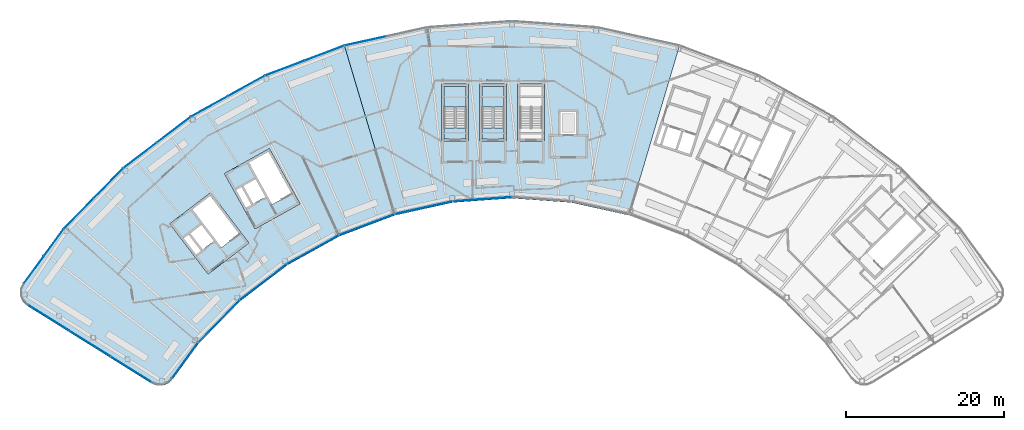
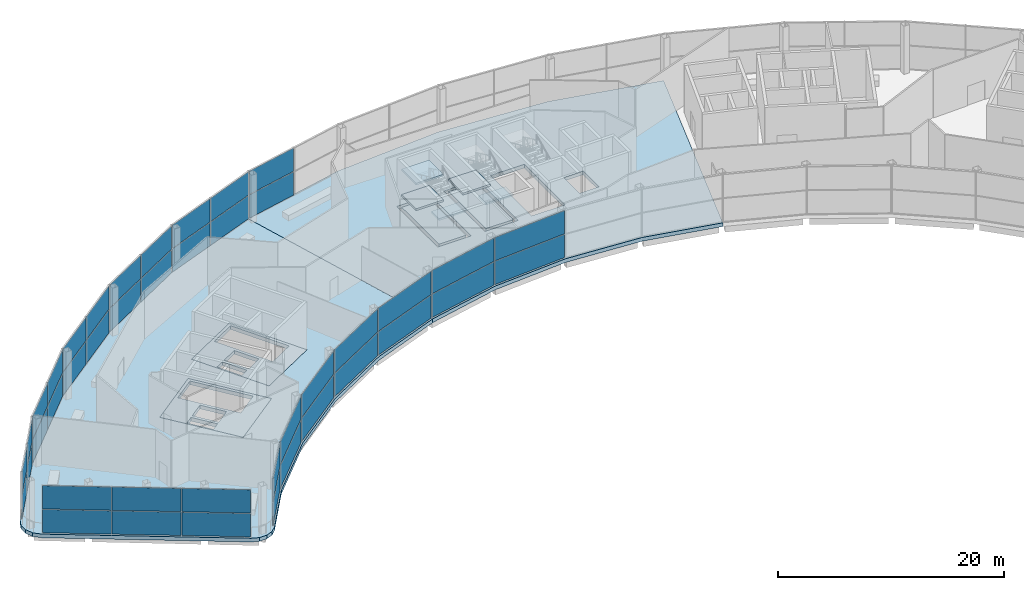
# One storey, part 34 of 44: 42 plates, 11 slabs, 16 elements without a shape of their own.
"""IFC4 building model written with IfcOpenShell, lengths in metres."""

import ifcopenshell
import ifcopenshell.guid

model = None  # the IFC model being written
_history = None  # IfcOwnerHistory: only IFC2X3 demands one
_inside = {}  # id of a spatial element -> (the spatial element, [elements in it])
_under = {}  # id of a project, library or spatial element -> (it, [spatial elements below it])
_declared = {}  # id of a project -> (the project, [libraries it declares])
_typed = {}  # id of a type object -> (the type object, [elements of that type])
_made_of = {}  # id of a material, layer set ... -> (it, [elements and type objects made of it])


def new_model(schema):
    """Start an empty IFC model of exactly this schema.

    Asked for "IFC4X3", IfcOpenShell would pick the latest addendum, in which some entities
    have other attributes; the version numbers below select the first issue.
    IFC2X3 requires an IfcOwnerHistory on every rooted entity: one is made here for all.
    """
    global model, _history
    if schema == "IFC4X3":
        model = ifcopenshell.file(schema_version=(4, 3, 0, 0))
    else:
        model = ifcopenshell.file(schema=schema)
    _inside.clear()
    _under.clear()
    _declared.clear()
    _typed.clear()
    _made_of.clear()
    _history = None
    if model.schema == "IFC2X3":
        org = make("IfcOrganization", Name="unknown")
        user = make(
            "IfcPersonAndOrganization",
            ThePerson=make("IfcPerson", FamilyName="unknown"),
            TheOrganization=org,
        )
        app = make(
            "IfcApplication",
            ApplicationDeveloper=org,
            Version="unknown",
            ApplicationFullName="unknown",
            ApplicationIdentifier="unknown",
        )
        _history = make(
            "IfcOwnerHistory",
            OwningUser=user,
            OwningApplication=app,
            ChangeAction="ADDED",
            CreationDate=0,
        )
    return model


def make(cls, **values):
    """One entity of the class cls with the attributes given. An attribute that is None is left unset."""
    return model.create_entity(
        cls, **{name: value for name, value in values.items() if value is not None}
    )


def rooted(cls, **values):
    """An entity with a GlobalId (a new one), such as an element, a storey or a relation."""
    return make(cls, GlobalId=ifcopenshell.guid.new(), OwnerHistory=_history, **values)


def si_unit(unit_type, name, prefix=None):
    """IfcSIUnit, for example si_unit("LENGTHUNIT", "METRE", prefix="MILLI")."""
    return make("IfcSIUnit", UnitType=unit_type, Prefix=prefix, Name=name)


def assignment(units):
    """IfcUnitAssignment: the units of a project."""
    return None if units is None else make("IfcUnitAssignment", Units=units)


def point(xyz):
    """IfcCartesianPoint."""
    return None if xyz is None else make("IfcCartesianPoint", Coordinates=xyz)


def direction(xyz):
    """IfcDirection."""
    return None if xyz is None else make("IfcDirection", DirectionRatios=xyz)


def frame(location, z_axis=None, x_axis=None):
    """IfcAxis2Placement3D, a coordinate frame: its origin and axes. An axis left out is left unset."""
    return make(
        "IfcAxis2Placement3D",
        Location=point(location),
        Axis=direction(z_axis),
        RefDirection=direction(x_axis),
    )


def frame_2d(location, x_axis=None):
    """IfcAxis2Placement2D, a coordinate frame in the plane: its origin and x axis."""
    return make(
        "IfcAxis2Placement2D", Location=point(location), RefDirection=direction(x_axis)
    )


def origin():
    """The frame at (0, 0, 0) with its axes left unset."""
    return frame((0.0, 0.0, 0.0))


def origin_2d():
    """The frame at (0, 0) in the plane with its x axis left unset."""
    return frame_2d((0.0, 0.0))


def place(relative_to, where):
    """IfcLocalPlacement: puts the frame where relative to a parent placement (None: the world)."""
    return make(
        "IfcLocalPlacement", PlacementRelTo=relative_to, RelativePlacement=where
    )


def context(
    kind, dimensions, precision=None, world=None, true_north=None, identifier=None
):
    """IfcGeometricRepresentationContext, for example the 3D "Model" context."""
    return make(
        "IfcGeometricRepresentationContext",
        ContextIdentifier=identifier,
        ContextType=kind,
        CoordinateSpaceDimension=dimensions,
        Precision=precision,
        WorldCoordinateSystem=world,
        TrueNorth=true_north,
    )


def subcontext(parent, identifier, kind, view, scale=None):
    """IfcGeometricRepresentationSubContext, for example "Body" below "Model"."""
    return make(
        "IfcGeometricRepresentationSubContext",
        ContextIdentifier=identifier,
        ContextType=kind,
        ParentContext=parent,
        TargetScale=scale,
        TargetView=view,
    )


def project(units=None, contexts=None):
    """IfcProject with its units and contexts."""
    return rooted(
        "IfcProject",
        Name="project",
        RepresentationContexts=contexts,
        UnitsInContext=assignment(units),
    )


def spatial(cls, under=None, at=None, **own):
    """A site, building, storey or space (cls), placed at a placement, below another one or the project."""
    s = rooted(cls, ObjectPlacement=at, **own)
    if under is not None:
        _under.setdefault(under.id(), (under, []))[1].append(s)
    return s


def polyline(points):
    """IfcPolyline through the points."""
    return make("IfcPolyline", Points=[point(p) for p in points])


def profile(cls, at=None, kind="AREA", **sizes):
    """A parametric profile (cls). Its sizes go by their IFC names, for example OverallWidth=200.0."""
    return make(cls, ProfileType=kind, Position=at, **sizes)


def rectangle(**sizes):
    """IfcRectangleProfileDef."""
    return profile("IfcRectangleProfileDef", **sizes)


def outline(outer, holes=None, kind="AREA"):
    """IfcArbitraryClosedProfileDef: a profile drawn as a closed curve; with holes, ...WithVoids."""
    if holes is None:
        return make("IfcArbitraryClosedProfileDef", ProfileType=kind, OuterCurve=outer)
    return make(
        "IfcArbitraryProfileDefWithVoids",
        ProfileType=kind,
        OuterCurve=outer,
        InnerCurves=holes,
    )


def extrude(swept, where, along, depth):
    """IfcExtrudedAreaSolid: the profile swept, set in the frame where, extruded along a direction by depth."""
    return make(
        "IfcExtrudedAreaSolid",
        SweptArea=swept,
        Position=where,
        ExtrudedDirection=direction(along),
        Depth=depth,
    )


def shape(context_of_items, identifier, shape_type, items):
    """IfcShapeRepresentation: the items that make up one representation, for example the "Body"."""
    return make(
        "IfcShapeRepresentation",
        ContextOfItems=context_of_items,
        RepresentationIdentifier=identifier,
        RepresentationType=shape_type,
        Items=items,
    )


def material(Name=None, Category=None):
    """IfcMaterial."""
    return make("IfcMaterial", Name=Name, Category=Category)


def layer(
    of_material, thickness, ventilated=None, Name=None, Category=None, Priority=None
):
    """IfcMaterialLayer: one layer of a wall or slab, of a material (None: an air gap)."""
    return make(
        "IfcMaterialLayer",
        Material=of_material,
        LayerThickness=thickness,
        IsVentilated=ventilated,
        Name=Name,
        Category=Category,
        Priority=Priority,
    )


def layer_set(layers, Name=None):
    """IfcMaterialLayerSet."""
    return make("IfcMaterialLayerSet", MaterialLayers=layers, LayerSetName=Name)


def made_of(thing, what):
    """Note that an element or type object is made of a material, layer set ...; save() writes the relation."""
    if what is not None:
        _made_of.setdefault(what.id(), (what, []))[1].append(thing)
    return thing


def type_object(cls, material=None, **own):
    """A type object (cls), such as IfcWallType, which elements share."""
    return made_of(rooted(cls, **own), material)


def element(
    cls,
    number,
    at=None,
    inside=None,
    cuts=None,
    type_object=None,
    material=None,
    context=None,
    identifier="Body",
    shape_type=None,
    held_by="IfcProductDefinitionShape",
    body=None,
    shapes=None,
    **own,
):
    """One element of the class cls, such as IfcWall. Its Tag is "e" and its number.

    at: its placement. inside: the storey or other place that contains it. cuts: it is an
    opening in that element (IfcRelVoidsElement). A single representation is given by context,
    identifier, shape_type and body (its items); several are given by shapes. held_by: the class
    of the entity that holds the representations. save() writes the other relations.
    """
    e = rooted(cls, Tag="e%d" % number, ObjectPlacement=at, **own)
    if body is not None:
        shapes = [shape(context, identifier, shape_type, body)]
    if shapes is not None:
        e.Representation = make(held_by, Representations=shapes)
    if inside is not None:
        _inside.setdefault(inside.id(), (inside, []))[1].append(e)
    if cuts is not None:
        rooted(
            "IfcRelVoidsElement", RelatingBuildingElement=cuts, RelatedOpeningElement=e
        )
    if type_object is not None:
        _typed.setdefault(type_object.id(), (type_object, []))[1].append(e)
    return made_of(e, material)


def aggregate(whole, parts):
    """IfcRelAggregates: a whole, such as a stair, and the parts it consists of."""
    return rooted("IfcRelAggregates", RelatingObject=whole, RelatedObjects=parts)


def save(model, path):
    """Write the relations noted so far, then the file.

    IfcRelAggregates (storeys below a building ...), IfcRelContainedInSpatialStructure (elements
    in a storey), IfcRelDefinesByType, IfcRelAssociatesMaterial and IfcRelDeclares: one each for
    every whole, place, type object, material and project.
    """
    for whole, parts in _under.values():
        aggregate(whole, parts)
    for where, things in _inside.values():
        rooted(
            "IfcRelContainedInSpatialStructure",
            RelatedElements=things,
            RelatingStructure=where,
        )
    for kind, things in _typed.values():
        rooted("IfcRelDefinesByType", RelatedObjects=things, RelatingType=kind)
    for what, things in _made_of.values():
        rooted("IfcRelAssociatesMaterial", RelatedObjects=things, RelatingMaterial=what)
    for by, libraries in _declared.values():
        rooted("IfcRelDeclares", RelatingContext=by, RelatedDefinitions=libraries)
    model.write(path)


model = new_model("IFC4")

# Units and contexts
model_context = context("Model", 3, precision=1e-05, world=origin(), true_north=direction((0.0, 1.0)))
body_context = subcontext(model_context, "Body", "Model", "MODEL_VIEW")
ifc_project = project(units=[si_unit("LENGTHUNIT", "METRE"), si_unit("AREAUNIT", "SQUARE_METRE"), si_unit("VOLUMEUNIT", "CUBIC_METRE"), si_unit("PLANEANGLEUNIT", "RADIAN"), si_unit("MASSUNIT", "GRAM", prefix="KILO")], contexts=[model_context])

# Site, building, storey
site_placement = place(None, origin())
site = spatial("IfcSite", under=ifc_project, at=site_placement, CompositionType="ELEMENT")
building_placement = place(site_placement, origin())
building = spatial("IfcBuilding", under=site, at=building_placement, Name="Tuul Gate Civic Tower", CompositionType="ELEMENT")
storey_placement = place(building_placement, frame((0.0, 0.0, 354.60009765625)))
storey = spatial("IfcBuildingStorey", under=building, at=storey_placement, Name="Observation level 2", CompositionType="ELEMENT", Elevation=354.60009765625)

# Curtain wall, plates
ifc_material_1 = material(Name="Stainless steel", Category="steel")
ifc_layer_1 = layer(ifc_material_1, 0.199951171875)
ifc_layer_set_1 = layer_set([ifc_layer_1], Name="Stainless steel")
curtain_wall_type = type_object("IfcCurtainWallType", Name="Curtain wall CW4", PredefinedType="NOTDEFINED", material=ifc_layer_set_1)
curtain_wall_1_placement = place(storey_placement, origin())
curtain_wall_1 = element("IfcCurtainWall", 1, at=curtain_wall_1_placement, inside=storey, type_object=curtain_wall_type, Name="Curtain wall CW4", PredefinedType="NOTDEFINED")
ifc_material_2 = material(Name="Laminated glass", Category="glass")
ifc_layer_2 = layer(ifc_material_2, 0.0400390625)
ifc_layer_set_2 = layer_set([ifc_layer_2], Name="Laminated glass")
plate_type = type_object("IfcPlateType", Name="CW4 panel", PredefinedType="CURTAIN_PANEL", material=ifc_layer_set_2)
plate_1_placement = place(storey_placement, frame((-16.37548828125, 11.772216796875, 0.06005859375), z_axis=(0.0, 0.0, 1.0), x_axis=(-0.976566659334, -0.215215147882, 0.0)))
plate_1 = element("IfcPlate", 2, at=plate_1_placement, type_object=plate_type, Name="Panel", PredefinedType="CURTAIN_PANEL", context=body_context, shape_type="SweptSolid", body=[
    extrude(rectangle(XDim=5.28125, YDim=0.0400390625, at=origin_2d()), origin(), (0.0, 0.0, 1.0), 2.510009765625),
])
plate_2_placement = place(storey_placement, frame((-16.37548828125, 11.772216796875, 2.6298828125), z_axis=(0.0, 0.0, 1.0), x_axis=(-0.976566659334, -0.215215147882, 0.0)))
plate_2 = element("IfcPlate", 3, at=plate_2_placement, type_object=plate_type, Name="Panel", PredefinedType="CURTAIN_PANEL", context=body_context, shape_type="SweptSolid", body=[
    extrude(rectangle(XDim=5.28125, YDim=0.0400390625, at=origin_2d()), origin(), (0.0, 0.0, 1.0), 2.510009765625),
])
aggregate(curtain_wall_1, [plate_1, plate_2])

curtain_wall_2_placement = place(storey_placement, origin())
curtain_wall_2 = element("IfcCurtainWall", 4, at=curtain_wall_2_placement, inside=storey, type_object=curtain_wall_type, Name="Curtain wall CW4", PredefinedType="NOTDEFINED")
plate_3_placement = place(storey_placement, frame((-21.5390625, 10.235595703125, 0.06005859375), z_axis=(0.0, 0.0, 1.0), x_axis=(-0.935346200905, -0.35373363489, 0.0)))
plate_3 = element("IfcPlate", 5, at=plate_3_placement, type_object=plate_type, Name="Panel", PredefinedType="CURTAIN_PANEL", context=body_context, shape_type="SweptSolid", body=[
    extrude(rectangle(XDim=5.28125, YDim=0.0400390625, at=origin_2d()), origin(), (0.0, 0.0, 1.0), 2.510009765625),
])
plate_4_placement = place(storey_placement, frame((-21.5390625, 10.235595703125, 2.6298828125), z_axis=(0.0, 0.0, 1.0), x_axis=(-0.935346200905, -0.35373363489, 0.0)))
plate_4 = element("IfcPlate", 6, at=plate_4_placement, type_object=plate_type, Name="Panel", PredefinedType="CURTAIN_PANEL", context=body_context, shape_type="SweptSolid", body=[
    extrude(rectangle(XDim=5.28125, YDim=0.0400390625, at=origin_2d()), origin(), (0.0, 0.0, 1.0), 2.510009765625),
])
plate_5_placement = place(storey_placement, frame((-26.534912109375, 8.34619140625, 0.06005859375), z_axis=(0.0, 0.0, 1.0), x_axis=(-0.935346200905, -0.35373363489, 0.0)))
plate_5 = element("IfcPlate", 7, at=plate_5_placement, type_object=plate_type, Name="Panel", PredefinedType="CURTAIN_PANEL", context=body_context, shape_type="SweptSolid", body=[
    extrude(rectangle(XDim=5.28125, YDim=0.0400390625, at=origin_2d()), origin(), (0.0, 0.0, 1.0), 2.510009765625),
])
plate_6_placement = place(storey_placement, frame((-26.534912109375, 8.34619140625, 2.6298828125), z_axis=(0.0, 0.0, 1.0), x_axis=(-0.935346200905, -0.35373363489, 0.0)))
plate_6 = element("IfcPlate", 8, at=plate_6_placement, type_object=plate_type, Name="Panel", PredefinedType="CURTAIN_PANEL", context=body_context, shape_type="SweptSolid", body=[
    extrude(rectangle(XDim=5.28125, YDim=0.0400390625, at=origin_2d()), origin(), (0.0, 0.0, 1.0), 2.510009765625),
])
aggregate(curtain_wall_2, [plate_3, plate_4, plate_5, plate_6])

curtain_wall_3_placement = place(storey_placement, origin())
curtain_wall_3 = element("IfcCurtainWall", 9, at=curtain_wall_3_placement, inside=storey, type_object=curtain_wall_type, Name="Curtain wall CW4", PredefinedType="NOTDEFINED")
plate_7_placement = place(storey_placement, frame((-31.423095703125, 6.081787109375, 0.06005859375), z_axis=(0.0, 0.0, 1.0), x_axis=(-0.874631068374, -0.48478912347, 0.0)))
plate_7 = element("IfcPlate", 10, at=plate_7_placement, type_object=plate_type, Name="Panel", PredefinedType="CURTAIN_PANEL", context=body_context, shape_type="SweptSolid", body=[
    extrude(rectangle(XDim=5.281494140625, YDim=0.0400390625, at=origin_2d()), origin(), (0.0, 0.0, 1.0), 2.510009765625),
])
plate_8_placement = place(storey_placement, frame((-31.423095703125, 6.081787109375, 2.6298828125), z_axis=(0.0, 0.0, 1.0), x_axis=(-0.874631068374, -0.48478912347, 0.0)))
plate_8 = element("IfcPlate", 11, at=plate_8_placement, type_object=plate_type, Name="Panel", PredefinedType="CURTAIN_PANEL", context=body_context, shape_type="SweptSolid", body=[
    extrude(rectangle(XDim=5.281494140625, YDim=0.0400390625, at=origin_2d()), origin(), (0.0, 0.0, 1.0), 2.510009765625),
])
plate_9_placement = place(storey_placement, frame((-36.094970703125, 3.4921875, 0.06005859375), z_axis=(0.0, 0.0, 1.0), x_axis=(-0.874631068374, -0.48478912347, 0.0)))
plate_9 = element("IfcPlate", 12, at=plate_9_placement, type_object=plate_type, Name="Panel", PredefinedType="CURTAIN_PANEL", context=body_context, shape_type="SweptSolid", body=[
    extrude(rectangle(XDim=5.281494140625, YDim=0.0400390625, at=origin_2d()), origin(), (0.0, 0.0, 1.0), 2.510009765625),
])
plate_10_placement = place(storey_placement, frame((-36.094970703125, 3.4921875, 2.6298828125), z_axis=(0.0, 0.0, 1.0), x_axis=(-0.874631068374, -0.48478912347, 0.0)))
plate_10 = element("IfcPlate", 13, at=plate_10_placement, type_object=plate_type, Name="Panel", PredefinedType="CURTAIN_PANEL", context=body_context, shape_type="SweptSolid", body=[
    extrude(rectangle(XDim=5.281494140625, YDim=0.0400390625, at=origin_2d()), origin(), (0.0, 0.0, 1.0), 2.510009765625),
])
aggregate(curtain_wall_3, [plate_7, plate_8, plate_9, plate_10])

curtain_wall_4_placement = place(storey_placement, origin())
curtain_wall_4 = element("IfcCurtainWall", 14, at=curtain_wall_4_placement, inside=storey, type_object=curtain_wall_type, Name="Curtain wall CW4", PredefinedType="NOTDEFINED")
plate_11_placement = place(storey_placement, frame((-40.605712890625, 0.546875, 0.06005859375), z_axis=(0.0, 0.0, 1.0), x_axis=(-0.795611180684, -0.605807600786, 0.0)))
plate_11 = element("IfcPlate", 15, at=plate_11_placement, type_object=plate_type, Name="Panel", PredefinedType="CURTAIN_PANEL", context=body_context, shape_type="SweptSolid", body=[
    extrude(rectangle(XDim=5.28125, YDim=0.0400390625, at=origin_2d()), origin(), (0.0, 0.0, 1.0), 2.510009765625),
])
plate_12_placement = place(storey_placement, frame((-40.605712890625, 0.546875, 2.6298828125), z_axis=(0.0, 0.0, 1.0), x_axis=(-0.795611180684, -0.605807600786, 0.0)))
plate_12 = element("IfcPlate", 16, at=plate_12_placement, type_object=plate_type, Name="Panel", PredefinedType="CURTAIN_PANEL", context=body_context, shape_type="SweptSolid", body=[
    extrude(rectangle(XDim=5.28125, YDim=0.0400390625, at=origin_2d()), origin(), (0.0, 0.0, 1.0), 2.510009765625),
])
plate_13_placement = place(storey_placement, frame((-44.855224609375, -2.68896484375, 0.06005859375), z_axis=(0.0, 0.0, 1.0), x_axis=(-0.795611180684, -0.605807600786, 0.0)))
plate_13 = element("IfcPlate", 17, at=plate_13_placement, type_object=plate_type, Name="Panel", PredefinedType="CURTAIN_PANEL", context=body_context, shape_type="SweptSolid", body=[
    extrude(rectangle(XDim=5.28125, YDim=0.0400390625, at=origin_2d()), origin(), (0.0, 0.0, 1.0), 2.510009765625),
])
plate_14_placement = place(storey_placement, frame((-44.855224609375, -2.68896484375, 2.6298828125), z_axis=(0.0, 0.0, 1.0), x_axis=(-0.795611180684, -0.605807600786, 0.0)))
plate_14 = element("IfcPlate", 18, at=plate_14_placement, type_object=plate_type, Name="Panel", PredefinedType="CURTAIN_PANEL", context=body_context, shape_type="SweptSolid", body=[
    extrude(rectangle(XDim=5.28125, YDim=0.0400390625, at=origin_2d()), origin(), (0.0, 0.0, 1.0), 2.510009765625),
])
aggregate(curtain_wall_4, [plate_11, plate_12, plate_13, plate_14])

curtain_wall_5_placement = place(storey_placement, origin())
curtain_wall_5 = element("IfcCurtainWall", 19, at=curtain_wall_5_placement, inside=storey, type_object=curtain_wall_type, Name="Curtain wall CW4", PredefinedType="NOTDEFINED")
plate_15_placement = place(storey_placement, frame((-48.89453125, -6.25341796875, 0.06005859375), z_axis=(0.0, 0.0, 1.0), x_axis=(-0.700043488595, -0.714100212908, 0.0)))
plate_15 = element("IfcPlate", 20, at=plate_15_placement, type_object=plate_type, Name="Panel", PredefinedType="CURTAIN_PANEL", context=body_context, shape_type="SweptSolid", body=[
    extrude(rectangle(XDim=5.281005859375, YDim=0.0400390625, at=origin_2d()), origin(), (0.0, 0.0, 1.0), 2.510009765625),
])
plate_16_placement = place(storey_placement, frame((-48.89453125, -6.25341796875, 2.6298828125), z_axis=(0.0, 0.0, 1.0), x_axis=(-0.700043488595, -0.714100212908, 0.0)))
plate_16 = element("IfcPlate", 21, at=plate_16_placement, type_object=plate_type, Name="Panel", PredefinedType="CURTAIN_PANEL", context=body_context, shape_type="SweptSolid", body=[
    extrude(rectangle(XDim=5.281005859375, YDim=0.0400390625, at=origin_2d()), origin(), (0.0, 0.0, 1.0), 2.510009765625),
])
plate_17_placement = place(storey_placement, frame((-52.633544921875, -10.067626953125, 0.06005859375), z_axis=(0.0, 0.0, 1.0), x_axis=(-0.700043488595, -0.714100212908, 0.0)))
plate_17 = element("IfcPlate", 22, at=plate_17_placement, type_object=plate_type, Name="Panel", PredefinedType="CURTAIN_PANEL", context=body_context, shape_type="SweptSolid", body=[
    extrude(rectangle(XDim=5.281005859375, YDim=0.0400390625, at=origin_2d()), origin(), (0.0, 0.0, 1.0), 2.510009765625),
])
plate_18_placement = place(storey_placement, frame((-52.633544921875, -10.067626953125, 2.6298828125), z_axis=(0.0, 0.0, 1.0), x_axis=(-0.700043488595, -0.714100212908, 0.0)))
plate_18 = element("IfcPlate", 23, at=plate_18_placement, type_object=plate_type, Name="Panel", PredefinedType="CURTAIN_PANEL", context=body_context, shape_type="SweptSolid", body=[
    extrude(rectangle(XDim=5.281005859375, YDim=0.0400390625, at=origin_2d()), origin(), (0.0, 0.0, 1.0), 2.510009765625),
])
aggregate(curtain_wall_5, [plate_15, plate_16, plate_17, plate_18])

curtain_wall_6_placement = place(storey_placement, origin())
curtain_wall_6 = element("IfcCurtainWall", 24, at=curtain_wall_6_placement, inside=storey, type_object=curtain_wall_type, Name="Curtain wall CW4", PredefinedType="NOTDEFINED")
plate_19_placement = place(storey_placement, frame((-55.80126953125, -13.7451171875, 0.06005859375), z_axis=(0.0, 0.0, 1.0), x_axis=(-0.589760109881, -0.807578487079, 0.0)))
plate_19 = element("IfcPlate", 25, at=plate_19_placement, type_object=plate_type, Name="Panel", PredefinedType="CURTAIN_PANEL", context=body_context, shape_type="SweptSolid", body=[
    extrude(rectangle(XDim=4.211669921875, YDim=0.0400390625, at=origin_2d()), origin(), (0.0, 0.0, 1.0), 2.510009765625),
])
plate_20_placement = place(storey_placement, frame((-55.80126953125, -13.7451171875, 2.6298828125), z_axis=(0.0, 0.0, 1.0), x_axis=(-0.589760109881, -0.807578487079, 0.0)))
plate_20 = element("IfcPlate", 26, at=plate_20_placement, type_object=plate_type, Name="Panel", PredefinedType="CURTAIN_PANEL", context=body_context, shape_type="SweptSolid", body=[
    extrude(rectangle(XDim=4.211669921875, YDim=0.0400390625, at=origin_2d()), origin(), (0.0, 0.0, 1.0), 2.510009765625),
])
plate_21_placement = place(storey_placement, frame((-58.320556640625, -17.19482421875, 0.06005859375), z_axis=(0.0, 0.0, 1.0), x_axis=(-0.589760109881, -0.807578487079, 0.0)))
plate_21 = element("IfcPlate", 27, at=plate_21_placement, type_object=plate_type, Name="Panel", PredefinedType="CURTAIN_PANEL", context=body_context, shape_type="SweptSolid", body=[
    extrude(rectangle(XDim=4.211669921875, YDim=0.0400390625, at=origin_2d()), origin(), (0.0, 0.0, 1.0), 2.510009765625),
])
plate_22_placement = place(storey_placement, frame((-58.320556640625, -17.19482421875, 2.6298828125), z_axis=(0.0, 0.0, 1.0), x_axis=(-0.589760109881, -0.807578487079, 0.0)))
plate_22 = element("IfcPlate", 28, at=plate_22_placement, type_object=plate_type, Name="Panel", PredefinedType="CURTAIN_PANEL", context=body_context, shape_type="SweptSolid", body=[
    extrude(rectangle(XDim=4.211669921875, YDim=0.0400390625, at=origin_2d()), origin(), (0.0, 0.0, 1.0), 2.510009765625),
])
aggregate(curtain_wall_6, [plate_19, plate_20, plate_21, plate_22])

curtain_wall_7_placement = place(storey_placement, origin())
curtain_wall_7 = element("IfcCurtainWall", 29, at=curtain_wall_7_placement, inside=storey, type_object=curtain_wall_type, Name="Curtain wall CW4", PredefinedType="NOTDEFINED")
plate_23_placement = place(storey_placement, frame((-56.45068359375, -23.25, 0.06005859375), z_axis=(0.0, 0.0, 1.0), x_axis=(0.848052818366, -0.529911707044, 0.0)))
plate_23 = element("IfcPlate", 30, at=plate_23_placement, type_object=plate_type, Name="Panel", PredefinedType="CURTAIN_PANEL", context=body_context, shape_type="SweptSolid", body=[
    extrude(rectangle(XDim=6.0927734375, YDim=0.0400390625, at=origin_2d()), origin(), (0.0, 0.0, 1.0), 2.510009765625),
])
plate_24_placement = place(storey_placement, frame((-56.45068359375, -23.25, 2.6298828125), z_axis=(0.0, 0.0, 1.0), x_axis=(0.848052818366, -0.529911707044, 0.0)))
plate_24 = element("IfcPlate", 31, at=plate_24_placement, type_object=plate_type, Name="Panel", PredefinedType="CURTAIN_PANEL", context=body_context, shape_type="SweptSolid", body=[
    extrude(rectangle(XDim=6.0927734375, YDim=0.0400390625, at=origin_2d()), origin(), (0.0, 0.0, 1.0), 2.510009765625),
])
plate_25_placement = place(storey_placement, frame((-51.219970703125, -26.5185546875, 0.06005859375), z_axis=(0.0, 0.0, 1.0), x_axis=(0.848052818366, -0.529911707044, 0.0)))
plate_25 = element("IfcPlate", 32, at=plate_25_placement, type_object=plate_type, Name="Panel", PredefinedType="CURTAIN_PANEL", context=body_context, shape_type="SweptSolid", body=[
    extrude(rectangle(XDim=6.122802734375, YDim=0.0400390625, at=origin_2d()), origin(), (0.0, 0.0, 1.0), 2.510009765625),
])
plate_26_placement = place(storey_placement, frame((-51.219970703125, -26.5185546875, 2.6298828125), z_axis=(0.0, 0.0, 1.0), x_axis=(0.848052818366, -0.529911707044, 0.0)))
plate_26 = element("IfcPlate", 33, at=plate_26_placement, type_object=plate_type, Name="Panel", PredefinedType="CURTAIN_PANEL", context=body_context, shape_type="SweptSolid", body=[
    extrude(rectangle(XDim=6.122802734375, YDim=0.0400390625, at=origin_2d()), origin(), (0.0, 0.0, 1.0), 2.510009765625),
])
plate_27_placement = place(storey_placement, frame((-45.989501953125, -29.786865234375, 0.06005859375), z_axis=(0.0, 0.0, 1.0), x_axis=(0.848052818366, -0.529911707044, 0.0)))
plate_27 = element("IfcPlate", 34, at=plate_27_placement, type_object=plate_type, Name="Panel", PredefinedType="CURTAIN_PANEL", context=body_context, shape_type="SweptSolid", body=[
    extrude(rectangle(XDim=6.0927734375, YDim=0.0400390625, at=origin_2d()), origin(), (0.0, 0.0, 1.0), 2.510009765625),
])
plate_28_placement = place(storey_placement, frame((-45.989501953125, -29.786865234375, 2.6298828125), z_axis=(0.0, 0.0, 1.0), x_axis=(0.848052818366, -0.529911707044, 0.0)))
plate_28 = element("IfcPlate", 35, at=plate_28_placement, type_object=plate_type, Name="Panel", PredefinedType="CURTAIN_PANEL", context=body_context, shape_type="SweptSolid", body=[
    extrude(rectangle(XDim=6.0927734375, YDim=0.0400390625, at=origin_2d()), origin(), (0.0, 0.0, 1.0), 2.510009765625),
])
aggregate(curtain_wall_7, [plate_23, plate_24, plate_25, plate_26, plate_27, plate_28])

curtain_wall_8_placement = place(storey_placement, origin())
curtain_wall_8 = element("IfcCurtainWall", 36, at=curtain_wall_8_placement, inside=storey, type_object=curtain_wall_type, Name="Curtain wall CW4", PredefinedType="NOTDEFINED")
plate_29_placement = place(storey_placement, frame((-39.21240234375, -28.67138671875, 0.06005859375), z_axis=(0.0, 0.0, 1.0), x_axis=(0.589737236717, 0.807595190444, 0.0)))
plate_29 = element("IfcPlate", 37, at=plate_29_placement, type_object=plate_type, Name="Panel", PredefinedType="CURTAIN_PANEL", context=body_context, shape_type="SweptSolid", body=[
    extrude(rectangle(XDim=5.53515625, YDim=0.0400390625, at=origin_2d()), origin(), (0.0, 0.0, 1.0), 2.510009765625),
])
plate_30_placement = place(storey_placement, frame((-39.21240234375, -28.67138671875, 2.6298828125), z_axis=(0.0, 0.0, 1.0), x_axis=(0.589737236717, 0.807595190444, 0.0)))
plate_30 = element("IfcPlate", 38, at=plate_30_placement, type_object=plate_type, Name="Panel", PredefinedType="CURTAIN_PANEL", context=body_context, shape_type="SweptSolid", body=[
    extrude(rectangle(XDim=5.53515625, YDim=0.0400390625, at=origin_2d()), origin(), (0.0, 0.0, 1.0), 2.510009765625),
])
aggregate(curtain_wall_8, [plate_29, plate_30])

curtain_wall_9_placement = place(storey_placement, origin())
curtain_wall_9 = element("IfcCurtainWall", 39, at=curtain_wall_9_placement, inside=storey, type_object=curtain_wall_type, Name="Curtain wall CW4", PredefinedType="NOTDEFINED")
plate_31_placement = place(storey_placement, frame((-34.910400390625, -23.700927734375, 0.06005859375), z_axis=(0.0, 0.0, 1.0), x_axis=(0.700096651008, 0.714048093092, 0.0)))
plate_31 = element("IfcPlate", 40, at=plate_31_placement, type_object=plate_type, Name="Panel", PredefinedType="CURTAIN_PANEL", context=body_context, shape_type="SweptSolid", body=[
    extrude(rectangle(XDim=7.406005859375, YDim=0.0400390625, at=origin_2d()), origin(), (0.0, 0.0, 1.0), 2.510009765625),
])
plate_32_placement = place(storey_placement, frame((-34.910400390625, -23.700927734375, 2.6298828125), z_axis=(0.0, 0.0, 1.0), x_axis=(0.700096651008, 0.714048093092, 0.0)))
plate_32 = element("IfcPlate", 41, at=plate_32_placement, type_object=plate_type, Name="Panel", PredefinedType="CURTAIN_PANEL", context=body_context, shape_type="SweptSolid", body=[
    extrude(rectangle(XDim=7.406005859375, YDim=0.0400390625, at=origin_2d()), origin(), (0.0, 0.0, 1.0), 2.510009765625),
])
aggregate(curtain_wall_9, [plate_31, plate_32])

curtain_wall_10_placement = place(storey_placement, origin())
curtain_wall_10 = element("IfcCurtainWall", 42, at=curtain_wall_10_placement, inside=storey, type_object=curtain_wall_type, Name="Curtain wall CW4", PredefinedType="NOTDEFINED")
plate_33_placement = place(storey_placement, frame((-29.281982421875, -18.73388671875, 0.06005859375), z_axis=(0.0, 0.0, 1.0), x_axis=(0.795578092914, 0.605851052715, 0.0)))
plate_33 = element("IfcPlate", 43, at=plate_33_placement, type_object=plate_type, Name="Panel", PredefinedType="CURTAIN_PANEL", context=body_context, shape_type="SweptSolid", body=[
    extrude(rectangle(XDim=7.406494140625, YDim=0.0400390625, at=origin_2d()), origin(), (0.0, 0.0, 1.0), 2.510009765625),
])
plate_34_placement = place(storey_placement, frame((-29.281982421875, -18.73388671875, 2.6298828125), z_axis=(0.0, 0.0, 1.0), x_axis=(0.795578092914, 0.605851052715, 0.0)))
plate_34 = element("IfcPlate", 44, at=plate_34_placement, type_object=plate_type, Name="Panel", PredefinedType="CURTAIN_PANEL", context=body_context, shape_type="SweptSolid", body=[
    extrude(rectangle(XDim=7.406494140625, YDim=0.0400390625, at=origin_2d()), origin(), (0.0, 0.0, 1.0), 2.510009765625),
])
aggregate(curtain_wall_10, [plate_33, plate_34])

curtain_wall_11_placement = place(storey_placement, origin())
curtain_wall_11 = element("IfcCurtainWall", 45, at=curtain_wall_11_placement, inside=storey, type_object=curtain_wall_type, Name="Curtain wall CW4", PredefinedType="NOTDEFINED")
plate_35_placement = place(storey_placement, frame((-22.99658203125, -14.62939453125, 0.06005859375), z_axis=(0.0, 0.0, 1.0), x_axis=(0.874620635875, 0.48480794476, 0.0)))
plate_35 = element("IfcPlate", 46, at=plate_35_placement, type_object=plate_type, Name="Panel", PredefinedType="CURTAIN_PANEL", context=body_context, shape_type="SweptSolid", body=[
    extrude(rectangle(XDim=7.40673828125, YDim=0.0400390625, at=origin_2d()), origin(), (0.0, 0.0, 1.0), 2.510009765625),
])
plate_36_placement = place(storey_placement, frame((-22.99658203125, -14.62939453125, 2.6298828125), z_axis=(0.0, 0.0, 1.0), x_axis=(0.874620635875, 0.48480794476, 0.0)))
plate_36 = element("IfcPlate", 47, at=plate_36_placement, type_object=plate_type, Name="Panel", PredefinedType="CURTAIN_PANEL", context=body_context, shape_type="SweptSolid", body=[
    extrude(rectangle(XDim=7.40673828125, YDim=0.0400390625, at=origin_2d()), origin(), (0.0, 0.0, 1.0), 2.510009765625),
])
aggregate(curtain_wall_11, [plate_35, plate_36])

curtain_wall_12_placement = place(storey_placement, origin())
curtain_wall_12 = element("IfcCurtainWall", 48, at=curtain_wall_12_placement, inside=storey, type_object=curtain_wall_type, Name="Curtain wall CW4", PredefinedType="NOTDEFINED")
plate_37_placement = place(storey_placement, frame((-16.18505859375, -11.47412109375, 0.06005859375), z_axis=(0.0, 0.0, 1.0), x_axis=(0.935364679597, 0.353684769481, 0.0)))
plate_37 = element("IfcPlate", 49, at=plate_37_placement, type_object=plate_type, Name="Panel", PredefinedType="CURTAIN_PANEL", context=body_context, shape_type="SweptSolid", body=[
    extrude(rectangle(XDim=7.406494140625, YDim=0.0400390625, at=origin_2d()), origin(), (0.0, 0.0, 1.0), 2.510009765625),
])
plate_38_placement = place(storey_placement, frame((-16.18505859375, -11.47412109375, 2.6298828125), z_axis=(0.0, 0.0, 1.0), x_axis=(0.935364679597, 0.353684769481, 0.0)))
plate_38 = element("IfcPlate", 50, at=plate_38_placement, type_object=plate_type, Name="Panel", PredefinedType="CURTAIN_PANEL", context=body_context, shape_type="SweptSolid", body=[
    extrude(rectangle(XDim=7.406494140625, YDim=0.0400390625, at=origin_2d()), origin(), (0.0, 0.0, 1.0), 2.510009765625),
])
aggregate(curtain_wall_12, [plate_37, plate_38])

curtain_wall_13_placement = place(storey_placement, origin())
curtain_wall_13 = element("IfcCurtainWall", 51, at=curtain_wall_13_placement, inside=storey, type_object=curtain_wall_type, Name="Curtain wall CW4", PredefinedType="NOTDEFINED")
plate_39_placement = place(storey_placement, frame((-8.989990234375, -9.3330078125, 0.06005859375), z_axis=(0.0, 0.0, 1.0), x_axis=(0.976560749849, 0.215241961183, 0.0)))
plate_39 = element("IfcPlate", 52, at=plate_39_placement, type_object=plate_type, Name="Panel", PredefinedType="CURTAIN_PANEL", context=body_context, shape_type="SweptSolid", body=[
    extrude(rectangle(XDim=7.406494140625, YDim=0.0400390625, at=origin_2d()), origin(), (0.0, 0.0, 1.0), 2.510009765625),
])
plate_40_placement = place(storey_placement, frame((-8.989990234375, -9.3330078125, 2.6298828125), z_axis=(0.0, 0.0, 1.0), x_axis=(0.976560749849, 0.215241961183, 0.0)))
plate_40 = element("IfcPlate", 53, at=plate_40_placement, type_object=plate_type, Name="Panel", PredefinedType="CURTAIN_PANEL", context=body_context, shape_type="SweptSolid", body=[
    extrude(rectangle(XDim=7.406494140625, YDim=0.0400390625, at=origin_2d()), origin(), (0.0, 0.0, 1.0), 2.510009765625),
])
aggregate(curtain_wall_13, [plate_39, plate_40])

curtain_wall_14_placement = place(storey_placement, origin())
curtain_wall_14 = element("IfcCurtainWall", 54, at=curtain_wall_14_placement, inside=storey, type_object=curtain_wall_type, Name="Curtain wall CW4", PredefinedType="NOTDEFINED")
plate_41_placement = place(storey_placement, frame((-1.5615234375, -8.2509765625, 0.06005859375), z_axis=(0.0, 0.0, 1.0), x_axis=(0.997384657179, 0.072276176045, 0.0)))
plate_41 = element("IfcPlate", 55, at=plate_41_placement, type_object=plate_type, Name="Panel", PredefinedType="CURTAIN_PANEL", context=body_context, shape_type="SweptSolid", body=[
    extrude(rectangle(XDim=7.40673828125, YDim=0.0400390625, at=origin_2d()), origin(), (0.0, 0.0, 1.0), 2.510009765625),
])
plate_42_placement = place(storey_placement, frame((-1.5615234375, -8.2509765625, 2.6298828125), z_axis=(0.0, 0.0, 1.0), x_axis=(0.997384657179, 0.072276176045, 0.0)))
plate_42 = element("IfcPlate", 56, at=plate_42_placement, type_object=plate_type, Name="Panel", PredefinedType="CURTAIN_PANEL", context=body_context, shape_type="SweptSolid", body=[
    extrude(rectangle(XDim=7.40673828125, YDim=0.0400390625, at=origin_2d()), origin(), (0.0, 0.0, 1.0), 2.510009765625),
])
aggregate(curtain_wall_14, [plate_41, plate_42])

# Slabs
ifc_material_3 = material(Name="Concrete C40/50", Category="concrete")
ifc_layer_3 = layer(ifc_material_3, 0.39990234375)
ifc_layer_set_3 = layer_set([ifc_layer_3], Name="Concrete C40/50")
slab_type_1 = type_object("IfcSlabType", Name="Core floor slab 400", PredefinedType="FLOOR", material=ifc_layer_set_3)
slab_1_placement = place(storey_placement, frame((0.0, 0.0, -0.400146484375)))
element("IfcSlab", 57, at=slab_1_placement, inside=storey, type_object=slab_type_1, Name="FLOOR SLAB", PredefinedType="FLOOR", context=body_context, shape_type="SweptSolid", body=[
    extrude(outline(polyline([(-31.10009765625, -13.7890625), (-35.946044921875, -7.423828125), (-41.11767578125, -11.361572265625), (-36.271484375, -17.726806640625), (-31.10009765625, -13.7890625)]), holes=[polyline([(-35.561767578125, -13.541259765625), (-37.1064453125, -11.512451171875), (-38.498779296875, -12.572509765625), (-36.9541015625, -14.6015625), (-35.561767578125, -13.541259765625)]), polyline([(-37.19287109375, -14.783203125), (-38.737548828125, -12.75439453125), (-39.45361328125, -13.299560546875), (-37.908935546875, -15.328369140625), (-37.19287109375, -14.783203125)]), polyline([(-32.33935546875, -12.65771484375), (-34.56591796875, -14.352783203125), (-38.229736328125, -9.54052734375), (-36.003173828125, -7.845458984375), (-32.33935546875, -12.65771484375)])]), origin(), (0.0, 0.0, 1.0), 0.400146484375),
])
slab_2_placement = place(storey_placement, frame((0.0, 0.0, -0.400146484375)))
element("IfcSlab", 58, at=slab_2_placement, inside=storey, type_object=slab_type_1, Name="FLOOR SLAB", PredefinedType="FLOOR", context=body_context, shape_type="SweptSolid", body=[
    extrude(outline(polyline([(-24.638916015625, -8.846923828125), (-28.51708984375, -1.849853515625), (-34.2021484375, -5.0009765625), (-30.32421875, -11.998046875), (-24.638916015625, -8.846923828125)]), holes=[polyline([(-29.0185546875, -7.958740234375), (-30.254638671875, -5.728515625), (-31.785400390625, -6.576904296875), (-30.54931640625, -8.80712890625), (-29.0185546875, -7.958740234375)]), polyline([(-30.8115234375, -8.95263671875), (-32.047607421875, -6.72216796875), (-32.8349609375, -7.158447265625), (-31.5986328125, -9.388916015625), (-30.8115234375, -8.95263671875)]), polyline([(-25.702392578125, -7.548828125), (-28.14990234375, -8.905517578125), (-31.08203125, -3.615234375), (-28.63427734375, -2.2587890625), (-25.702392578125, -7.548828125)])]), origin(), (0.0, 0.0, 1.0), 0.400146484375),
])

# Stair, slabs
ifc_material_4 = material(Name="Concrete C40/50", Category="concrete")
stair_type = type_object("IfcStairType", Name="Exit stair", PredefinedType="HALF_TURN_STAIR", material=ifc_material_4)
stair_1_placement = place(storey_placement, origin())
stair_1 = element("IfcStair", 59, at=stair_1_placement, inside=storey, type_object=stair_type, Name="Observation level 2 ST-5", PredefinedType="HALF_TURN_STAIR")
ifc_material_5 = material(Name="Concrete C40/50", Category="concrete")
ifc_layer_4 = layer(ifc_material_5, 0.199951171875)
ifc_layer_set_4 = layer_set([ifc_layer_4], Name="Concrete C40/50")
slab_type_2 = type_object("IfcSlabType", Name="Exit stair landing", PredefinedType="LANDING", material=ifc_layer_set_4)
slab_3_placement = place(storey_placement, frame((0.0, 0.0, 1.1748046875)))
slab_3 = element("IfcSlab", 60, at=slab_3_placement, type_object=slab_type_2, Name="ST-5 landing 1", PredefinedType="LANDING", context=body_context, shape_type="SweptSolid", body=[
    extrude(outline(polyline([(-3.59912109375, 3.44921875), (-6.40087890625, 3.44921875), (-6.40087890625, 6.000732421875), (-3.59912109375, 6.000732421875), (-3.59912109375, 3.44921875)])), origin(), (0.0, 0.0, 1.0), 0.2001953125),
])
slab_4_placement = place(storey_placement, frame((0.0, 0.0, 2.5498046875)))
slab_4 = element("IfcSlab", 61, at=slab_4_placement, type_object=slab_type_2, Name="ST-5 landing 2", PredefinedType="LANDING", context=body_context, shape_type="SweptSolid", body=[
    extrude(outline(polyline([(-3.59912109375, -0.600830078125), (-6.40087890625, -0.600830078125), (-6.40087890625, 0.750732421875), (-3.59912109375, 0.750732421875), (-3.59912109375, -0.600830078125)])), origin(), (0.0, 0.0, 1.0), 0.2001953125),
])
slab_5_placement = place(storey_placement, frame((0.0, 0.0, 3.9248046875)))
slab_5 = element("IfcSlab", 62, at=slab_5_placement, type_object=slab_type_2, Name="ST-5 landing 3", PredefinedType="LANDING", context=body_context, shape_type="SweptSolid", body=[
    extrude(outline(polyline([(-3.59912109375, 3.44921875), (-6.40087890625, 3.44921875), (-6.40087890625, 6.000732421875), (-3.59912109375, 6.000732421875), (-3.59912109375, 3.44921875)])), origin(), (0.0, 0.0, 1.0), 0.2001953125),
])
aggregate(stair_1, [slab_3, slab_4, slab_5])

stair_2_placement = place(storey_placement, origin())
stair_2 = element("IfcStair", 63, at=stair_2_placement, inside=storey, type_object=stair_type, Name="Observation level 2 ST-6", PredefinedType="HALF_TURN_STAIR")
slab_6_placement = place(storey_placement, frame((0.0, 0.0, 1.1748046875)))
slab_6 = element("IfcSlab", 64, at=slab_6_placement, type_object=slab_type_2, Name="ST-6 landing 1", PredefinedType="LANDING", context=body_context, shape_type="SweptSolid", body=[
    extrude(outline(polyline([(1.20068359375, 3.44921875), (-1.600830078125, 3.44921875), (-1.600830078125, 6.000732421875), (1.20068359375, 6.000732421875), (1.20068359375, 3.44921875)])), origin(), (0.0, 0.0, 1.0), 0.2001953125),
])
slab_7_placement = place(storey_placement, frame((0.0, 0.0, 2.5498046875)))
slab_7 = element("IfcSlab", 65, at=slab_7_placement, type_object=slab_type_2, Name="ST-6 landing 2", PredefinedType="LANDING", context=body_context, shape_type="SweptSolid", body=[
    extrude(outline(polyline([(1.20068359375, -0.600830078125), (-1.600830078125, -0.600830078125), (-1.600830078125, 0.750732421875), (1.20068359375, 0.750732421875), (1.20068359375, -0.600830078125)])), origin(), (0.0, 0.0, 1.0), 0.2001953125),
])
aggregate(stair_2, [slab_6, slab_7])

# Slabs
ifc_material_6 = material(Name="Concrete C35/45", Category="concrete")
ifc_layer_5 = layer(ifc_material_6, 0.39990234375)
ifc_layer_set_5 = layer_set([ifc_layer_5], Name="Concrete C35/45")
slab_type_3 = type_object("IfcSlabType", Name="STR-FLOOR-SLAB-400", PredefinedType="FLOOR", material=ifc_layer_set_5)
slab_8_placement = place(storey_placement, frame((0.0, 0.0, -0.400146484375)))
element("IfcSlab", 66, at=slab_8_placement, inside=storey, type_object=slab_type_3, Name="Observation level 2/slab/W", PredefinedType="FLOOR", context=body_context, shape_type="SweptSolid", body=[
    extrude(outline(polyline([(-19.64208984375, -12.94189453125), (-12.6220703125, -10.287109375), (-19.055908203125, 11.3349609375), (-29.125, 7.528076171875), (-38.5390625, 2.30908203125), (-47.10400390625, -4.2119140625), (-54.638916015625, -11.89892578125), (-59.718994140625, -18.85498046875), (-60.055908203125, -19.597900390625), (-60.068115234375, -20.4140625), (-59.7529296875, -21.1669921875), (-59.1640625, -21.73095703125), (-43.43408203125, -31.56005859375), (-42.739990234375, -31.830078125), (-41.9951171875, -31.827880859375), (-41.302978515625, -31.552978515625), (-40.759033203125, -31.0439453125), (-37.429931640625, -26.486083984375), (-32.177001953125, -21.1259765625), (-26.2060546875, -16.580078125), (-19.64208984375, -12.94189453125)]), holes=[polyline([(-36.27197265625, -17.72705078125), (-41.117919921875, -11.362060546875), (-35.946044921875, -7.424072265625), (-31.10009765625, -13.7890625), (-36.27197265625, -17.72705078125)]), polyline([(-30.323974609375, -11.998046875), (-34.201904296875, -5.0009765625), (-28.51708984375, -1.85009765625), (-24.638916015625, -8.846923828125), (-30.323974609375, -11.998046875)])]), origin(), (0.0, 0.0, 1.0), 0.400146484375),
])
slab_9_placement = place(storey_placement, frame((0.0, 0.0, -0.400146484375)))
element("IfcSlab", 67, at=slab_9_placement, inside=storey, type_object=slab_type_3, Name="Observation level 2/slab/M", PredefinedType="FLOOR", context=body_context, shape_type="SweptSolid", body=[
    extrude(outline(polyline([(17.006103515625, -10.287109375), (23.43994140625, 11.3349609375), (12.927978515625, 13.652099609375), (2.19189453125, 14.428955078125), (-8.5439453125, 13.652099609375), (-19.055908203125, 11.3349609375), (-12.6220703125, -10.287109375), (-5.29296875, -8.672119140625), (2.19189453125, -8.1298828125), (9.677001953125, -8.672119140625), (17.006103515625, -10.287109375)]), holes=[polyline([(8.300048828125, 0.0), (8.300048828125, 2.800048828125), (10.300048828125, 2.800048828125), (10.300048828125, 0.0), (8.300048828125, 0.0)]), polyline([(-6.7099609375, -0.909912109375), (-6.7099609375, 6.31005859375), (-3.2900390625, 6.31005859375), (-3.2900390625, -0.909912109375), (-6.7099609375, -0.909912109375)]), polyline([(-1.909912109375, 6.31005859375), (1.510009765625, 6.31005859375), (1.510009765625, -0.909912109375), (-1.909912109375, -0.909912109375), (-1.909912109375, 6.31005859375)]), polyline([(2.889892578125, 6.31005859375), (6.31005859375, 6.31005859375), (6.31005859375, -0.909912109375), (2.889892578125, -0.909912109375), (2.889892578125, 6.31005859375)])]), origin(), (0.0, 0.0, 1.0), 0.400146484375),
])
slab_10_placement = place(storey_placement, frame((0.0, 0.0, -0.400146484375)))
element("IfcSlab", 68, at=slab_10_placement, inside=storey, type_object=slab_type_3, Name="Observation level 2/slab/M2", PredefinedType="FLOOR", context=body_context, shape_type="SweptSolid", body=[
    extrude(outline(polyline([(-3.610107421875, 5.989990234375), (-6.389892578125, 5.989990234375), (-6.389892578125, -0.590087890625), (-3.610107421875, -0.590087890625), (-3.610107421875, 5.989990234375)])), origin(), (0.0, 0.0, 1.0), 0.400146484375),
])
slab_11_placement = place(storey_placement, frame((0.0, 0.0, -0.400146484375)))
element("IfcSlab", 69, at=slab_11_placement, inside=storey, type_object=slab_type_3, Name="Observation level 2/slab/M3", PredefinedType="FLOOR", context=body_context, shape_type="SweptSolid", body=[
    extrude(outline(polyline([(-1.590087890625, 5.989990234375), (-1.590087890625, -0.590087890625), (1.18994140625, -0.590087890625), (1.18994140625, 5.989990234375), (-1.590087890625, 5.989990234375)])), origin(), (0.0, 0.0, 1.0), 0.400146484375),
])

save(model, "model.ifc")
